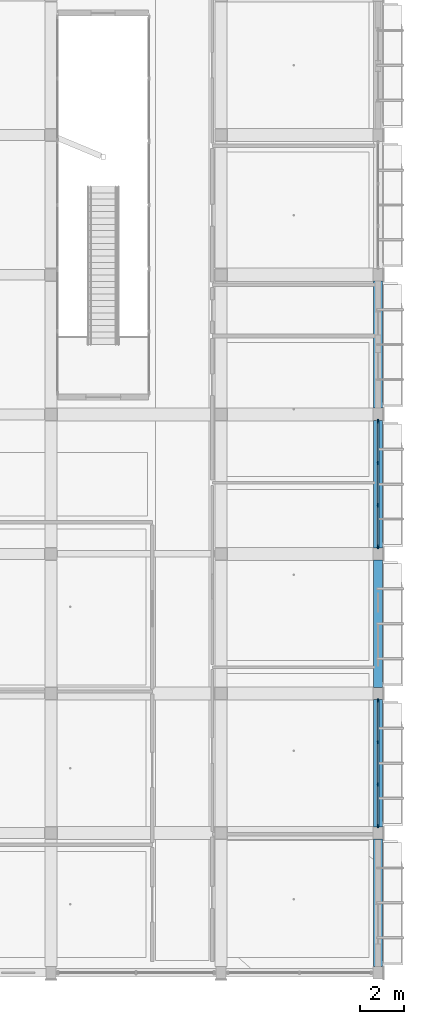
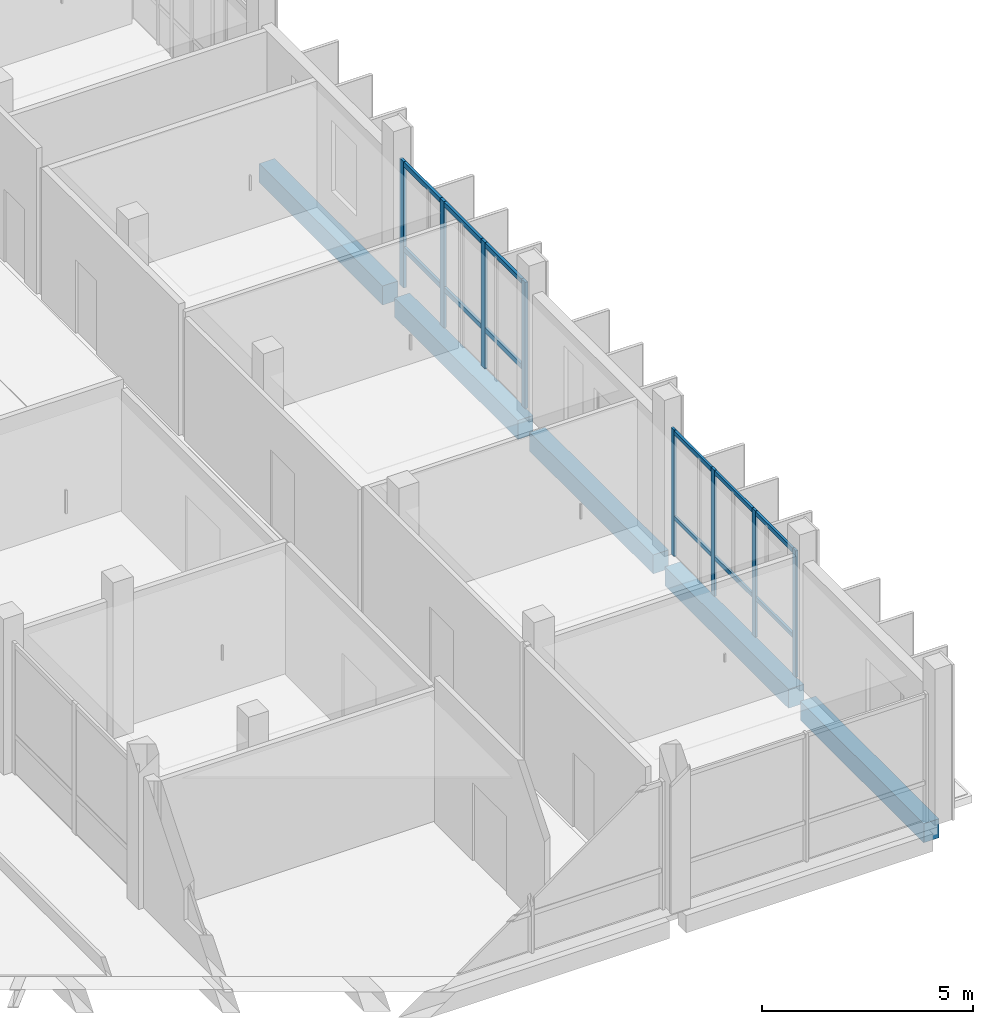
# One storey, part 34 of 95: 12 members, 5 beams, 2 elements without a shape of their own.
"""IFC4 building model written with IfcOpenShell, lengths in metres."""

from ifc_helpers import new_model, si_unit, derived_unit, direction, frame, origin, origin_2d, place, context, subcontext, project, spatial, rectangle, extrude, material, material_profile, profile_set, type_object, element, aggregate, save


model = new_model("IFC4")

# Units and contexts
model_context = context("Model", 3, precision=1e-05, world=origin(), true_north=direction((0.0, 1.0)))
body_context = subcontext(model_context, "Body", "Model", "MODEL_VIEW")
ifc_project = project(units=[si_unit("LENGTHUNIT", "METRE"), si_unit("AREAUNIT", "SQUARE_METRE"), si_unit("VOLUMEUNIT", "CUBIC_METRE"), si_unit("PLANEANGLEUNIT", "RADIAN"), si_unit("MASSUNIT", "GRAM", prefix="KILO"), derived_unit("THERMALTRANSMITTANCEUNIT", [(si_unit("POWERUNIT", "WATT"), 1), (si_unit("LENGTHUNIT", "METRE"), -2), (si_unit("THERMODYNAMICTEMPERATUREUNIT", "KELVIN"), -1)])], contexts=[model_context])

# Site, building, storey
site_placement = place(None, origin())
site = spatial("IfcSite", under=ifc_project, at=site_placement, CompositionType="ELEMENT")
building_placement = place(site_placement, origin())
building = spatial("IfcBuilding", under=site, at=building_placement, Name="Braskholm Square Health Centre", CompositionType="ELEMENT")
storey_placement = place(building_placement, frame((0.0, 0.0, 4.800048828125)))
storey = spatial("IfcBuildingStorey", under=building, at=storey_placement, Name="L02", CompositionType="ELEMENT", Elevation=4.800048828125)

# Curtain wall, members
ifc_material_1 = material(Name="Low-E triple insulating glass (VLT 0.64)", Category="glass")
curtain_wall_type = type_object("IfcCurtainWallType", Name="UnitisedCurtainWall6200x3650", PredefinedType="NOTDEFINED", material=ifc_material_1)
curtain_wall_1_placement = place(storey_placement, origin())
curtain_wall_1 = element("IfcCurtainWall", 1, at=curtain_wall_1_placement, inside=storey, type_object=curtain_wall_type, Name="East Outer unitised curtain wall CW-L02-0052", PredefinedType="NOTDEFINED")
ifc_material_2 = material(Name="Architectural bronze anodised aluminium", Category="aluminium")
ifc_material_profile_1 = material_profile(ifc_material_2, rectangle(XDim=0.06494140625, YDim=0.14990234375, at=origin_2d()), Name="ALU-65X150")
ifc_profile_set_1 = profile_set([ifc_material_profile_1], Name="Architectural bronze anodised aluminium")
member_type_1 = type_object("IfcMemberType", Name="CurtainWallMullion65x150", PredefinedType="MULLION", material=ifc_profile_set_1)
member_1_placement = place(storey_placement, frame((163.800048828125, 10.9248046875, 0.0), z_axis=(0.0, 0.0, 1.0), x_axis=(1.0, 0.0, 0.0)))
member_1 = element("IfcMember", 2, at=member_1_placement, type_object=member_type_1, Name="CW-L02-0052 vertical mullion 1", PredefinedType="MULLION", context=body_context, shape_type="SweptSolid", body=[
    extrude(rectangle(XDim=0.06494140625, YDim=0.14990234375, at=origin_2d()), origin(), (0.0, 0.0, 1.0), 3.64990234375),
])
member_2_placement = place(storey_placement, frame((163.800048828125, 12.830078125, 0.0), z_axis=(0.0, 0.0, 1.0), x_axis=(1.0, 0.0, 0.0)))
member_2 = element("IfcMember", 3, at=member_2_placement, type_object=member_type_1, Name="CW-L02-0052 vertical mullion 2", PredefinedType="MULLION", context=body_context, shape_type="SweptSolid", body=[
    extrude(rectangle(XDim=0.06494140625, YDim=0.14990234375, at=origin_2d()), origin(), (0.0, 0.0, 1.0), 3.64990234375),
])
member_3_placement = place(storey_placement, frame((163.800048828125, 14.77001953125, 0.0), z_axis=(0.0, 0.0, 1.0), x_axis=(1.0, 0.0, 0.0)))
member_3 = element("IfcMember", 4, at=member_3_placement, type_object=member_type_1, Name="CW-L02-0052 vertical mullion 3", PredefinedType="MULLION", context=body_context, shape_type="SweptSolid", body=[
    extrude(rectangle(XDim=0.06494140625, YDim=0.14990234375, at=origin_2d()), origin(), (0.0, 0.0, 1.0), 3.64990234375),
])
member_4_placement = place(storey_placement, frame((163.800048828125, 16.675048828125, 0.0), z_axis=(0.0, 0.0, 1.0), x_axis=(1.0, 0.0, 0.0)))
member_4 = element("IfcMember", 5, at=member_4_placement, type_object=member_type_1, Name="CW-L02-0052 vertical mullion 4", PredefinedType="MULLION", context=body_context, shape_type="SweptSolid", body=[
    extrude(rectangle(XDim=0.06494140625, YDim=0.14990234375, at=origin_2d()), origin(), (0.0, 0.0, 1.0), 3.64990234375),
])

curtain_wall_2_placement = place(storey_placement, origin())
curtain_wall_2 = element("IfcCurtainWall", 6, at=curtain_wall_2_placement, inside=storey, type_object=curtain_wall_type, Name="East Outer unitised curtain wall CW-L02-0053", PredefinedType="NOTDEFINED")
ifc_material_profile_2 = material_profile(ifc_material_2, rectangle(XDim=0.074951171875, YDim=0.179931640625, at=origin_2d()), Name="ALU-75X180")
ifc_profile_set_2 = profile_set([ifc_material_profile_2], Name="Architectural bronze anodised aluminium")
member_type_2 = type_object("IfcMemberType", Name="CurtainWallMullion75x180", PredefinedType="MULLION", material=ifc_profile_set_2)
member_5_placement = place(storey_placement, frame((163.800048828125, 23.724853515625, 0.0), z_axis=(0.0, 0.0, 1.0), x_axis=(1.0, 0.0, 0.0)))
member_5 = element("IfcMember", 7, at=member_5_placement, type_object=member_type_2, Name="CW-L02-0053 vertical mullion 1", PredefinedType="MULLION", context=body_context, shape_type="SweptSolid", body=[
    extrude(rectangle(XDim=0.074951171875, YDim=0.179931640625, at=origin_2d()), origin(), (0.0, 0.0, 1.0), 3.64990234375),
])
member_6_placement = place(storey_placement, frame((163.800048828125, 25.6298828125, 0.0), z_axis=(0.0, 0.0, 1.0), x_axis=(1.0, 0.0, 0.0)))
member_6 = element("IfcMember", 8, at=member_6_placement, type_object=member_type_2, Name="CW-L02-0053 vertical mullion 2", PredefinedType="MULLION", context=body_context, shape_type="SweptSolid", body=[
    extrude(rectangle(XDim=0.074951171875, YDim=0.179931640625, at=origin_2d()), origin(), (0.0, 0.0, 1.0), 3.64990234375),
])
member_7_placement = place(storey_placement, frame((163.800048828125, 27.570068359375, 0.0), z_axis=(0.0, 0.0, 1.0), x_axis=(1.0, 0.0, 0.0)))
member_7 = element("IfcMember", 9, at=member_7_placement, type_object=member_type_2, Name="CW-L02-0053 vertical mullion 3", PredefinedType="MULLION", context=body_context, shape_type="SweptSolid", body=[
    extrude(rectangle(XDim=0.074951171875, YDim=0.179931640625, at=origin_2d()), origin(), (0.0, 0.0, 1.0), 3.64990234375),
])
member_8_placement = place(storey_placement, frame((163.800048828125, 29.47509765625, 0.0), z_axis=(0.0, 0.0, 1.0), x_axis=(1.0, 0.0, 0.0)))
member_8 = element("IfcMember", 10, at=member_8_placement, type_object=member_type_2, Name="CW-L02-0053 vertical mullion 4", PredefinedType="MULLION", context=body_context, shape_type="SweptSolid", body=[
    extrude(rectangle(XDim=0.074951171875, YDim=0.179931640625, at=origin_2d()), origin(), (0.0, 0.0, 1.0), 3.64990234375),
])

# Member
ifc_material_profile_3 = material_profile(ifc_material_2, rectangle(XDim=0.06494140625, YDim=0.1201171875, at=origin_2d()), Name="ALU-65X120")
ifc_profile_set_3 = profile_set([ifc_material_profile_3], Name="Architectural bronze anodised aluminium")
member_type_3 = type_object("IfcMemberType", Name="CurtainWallTransom65x120", PredefinedType="USERDEFINED", material=ifc_profile_set_3)
member_9_placement = place(storey_placement, frame((163.800048828125, 10.93505859375, 1.119873046875), z_axis=(0.0, 1.0, 0.0), x_axis=(-1.0, 0.0, 0.0)))
member_9 = element("IfcMember", 11, at=member_9_placement, type_object=member_type_3, Name="CW-L02-0052 horizontal transom 1", ObjectType="TRANSOM", PredefinedType="USERDEFINED", context=body_context, shape_type="SweptSolid", body=[
    extrude(rectangle(XDim=0.06494140625, YDim=0.1201171875, at=origin_2d()), origin(), (0.0, 0.0, 1.0), 5.72998046875),
])

member_10_placement = place(storey_placement, frame((163.800048828125, 10.93505859375, 3.579833984375), z_axis=(0.0, 1.0, 0.0), x_axis=(-1.0, 0.0, 0.0)))
member_10 = element("IfcMember", 12, at=member_10_placement, type_object=member_type_3, Name="CW-L02-0052 horizontal transom 2", ObjectType="TRANSOM", PredefinedType="USERDEFINED", context=body_context, shape_type="SweptSolid", body=[
    extrude(rectangle(XDim=0.06494140625, YDim=0.1201171875, at=origin_2d()), origin(), (0.0, 0.0, 1.0), 5.72998046875),
])

aggregate(curtain_wall_1, [member_1, member_2, member_3, member_4, member_9, member_10])

ifc_material_profile_4 = material_profile(ifc_material_2, rectangle(XDim=0.074951171875, YDim=0.139892578125, at=origin_2d()), Name="ALU-75X140")
ifc_profile_set_4 = profile_set([ifc_material_profile_4], Name="Architectural bronze anodised aluminium")
member_type_4 = type_object("IfcMemberType", Name="CurtainWallTransom75x140", PredefinedType="USERDEFINED", material=ifc_profile_set_4)
member_11_placement = place(storey_placement, frame((163.800048828125, 23.735107421875, 1.119873046875), z_axis=(0.0, 1.0, 0.0), x_axis=(-1.0, 0.0, 0.0)))
member_11 = element("IfcMember", 13, at=member_11_placement, type_object=member_type_4, Name="CW-L02-0053 horizontal transom 1", ObjectType="TRANSOM", PredefinedType="USERDEFINED", context=body_context, shape_type="SweptSolid", body=[
    extrude(rectangle(XDim=0.074951171875, YDim=0.139892578125, at=origin_2d()), origin(), (0.0, 0.0, 1.0), 5.72998046875),
])

member_12_placement = place(storey_placement, frame((163.800048828125, 23.735107421875, 3.579833984375), z_axis=(0.0, 1.0, 0.0), x_axis=(-1.0, 0.0, 0.0)))
member_12 = element("IfcMember", 14, at=member_12_placement, type_object=member_type_4, Name="CW-L02-0053 horizontal transom 2", ObjectType="TRANSOM", PredefinedType="USERDEFINED", context=body_context, shape_type="SweptSolid", body=[
    extrude(rectangle(XDim=0.074951171875, YDim=0.139892578125, at=origin_2d()), origin(), (0.0, 0.0, 1.0), 5.72998046875),
])

aggregate(curtain_wall_2, [member_5, member_6, member_7, member_8, member_11, member_12])

# Beams
ifc_material_3 = material(Name="Precast concrete C40/50 architectural white", Category="concrete")
ifc_material_profile_5 = material_profile(ifc_material_3, rectangle(XDim=0.419921875, YDim=0.550048828125, at=origin_2d()), Name="RCB-420X550")
ifc_profile_set_5 = profile_set([ifc_material_profile_5], Name="Precast concrete C40/50 architectural white")
beam_type = type_object("IfcBeamType", Name="SpandrelPrecastLedge420x550", PredefinedType="SPANDREL", material=ifc_profile_set_5)
for number, where, z_axis, x_axis, name in (
    (15, (163.800048828125, 4.47998046875, -0.574951171875), (0.0, 1.0, 0.0), (-1.0, 0.0, 0.0), "Beam 22/A-B L02"),
    (16, (163.800048828125, 10.8798828125, -0.574951171875), (0.0, 1.0, 0.0), (-1.0, 0.0, 0.0), "Beam 22/B-C L02"),
    (17, (163.800048828125, 17.280029296875, -0.574951171875), (0.0, 1.0, 0.0), (-1.0, 0.0, 0.0), "Beam 22/C-D L02"),
    (18, (163.800048828125, 23.679931640625, -0.574951171875), (0.0, 1.0, 0.0), (-1.0, 0.0, 0.0), "Beam 22/D-E L02"),
):
    element("IfcBeam", number, at=place(storey_placement, frame(where, z_axis=z_axis, x_axis=x_axis)), inside=storey, type_object=beam_type, Name=name, PredefinedType="SPANDREL", context=body_context, shape_type="SweptSolid", body=[
        extrude(rectangle(XDim=0.419921875, YDim=0.550048828125, at=origin_2d()), origin(), (0.0, 0.0, 1.0), 5.840087890625),
    ])
beam_placement = place(storey_placement, frame((163.800048828125, 30.080078125, -0.574951171875), z_axis=(0.0, 1.0, 0.0), x_axis=(-1.0, 0.0, 0.0)))
element("IfcBeam", 19, at=beam_placement, inside=storey, type_object=beam_type, Name="Beam 22/E-F L02", PredefinedType="SPANDREL", context=body_context, shape_type="SweptSolid", body=[
    extrude(rectangle(XDim=0.419921875, YDim=0.550048828125, at=origin_2d()), origin(), (0.0, 0.0, 1.0), 5.83984375),
])

save(model, "model.ifc")
